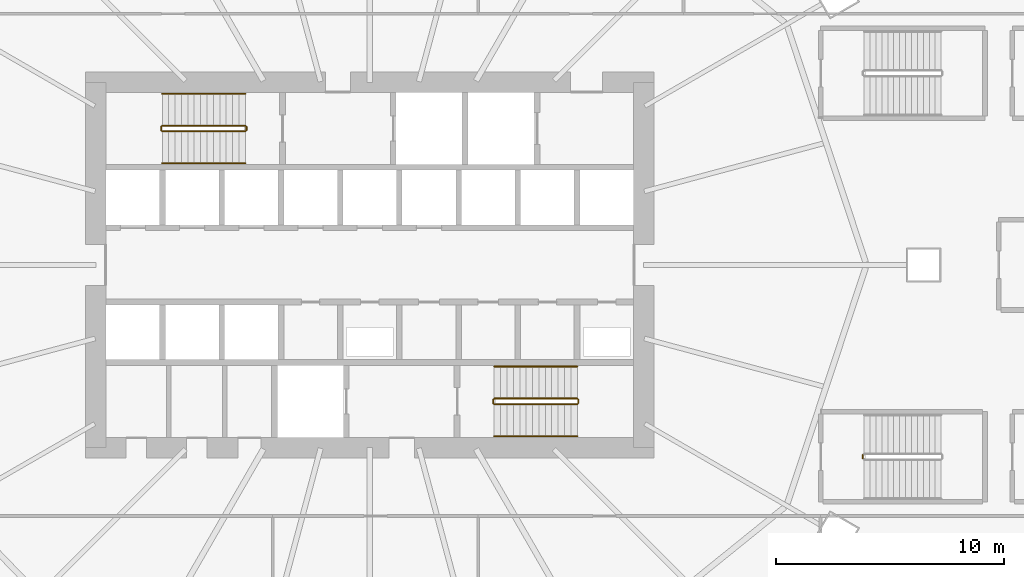
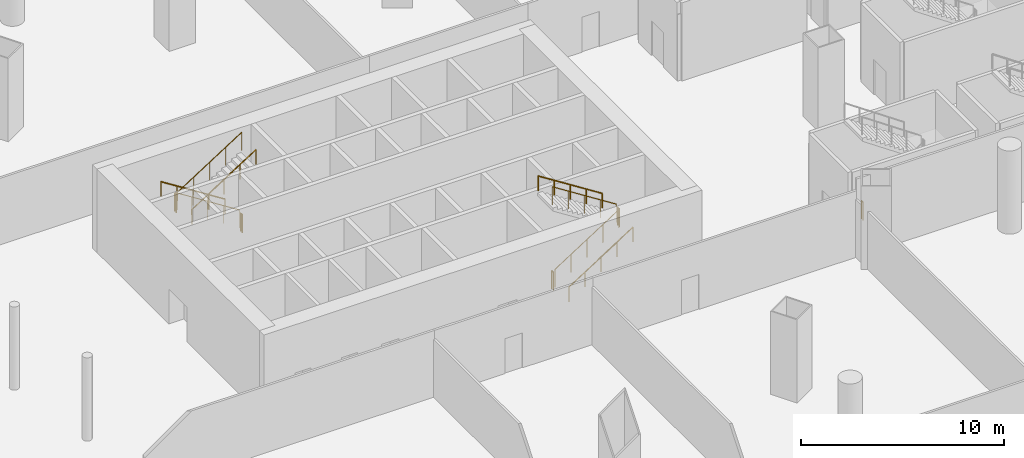
# One storey, part 45 of 51: 13 railings.
"""IFC4 building model written with IfcOpenShell, lengths in metres."""

import ifcopenshell
import ifcopenshell.guid

model = None  # the IFC model being written
_history = None  # IfcOwnerHistory: only IFC2X3 demands one
_inside = {}  # id of a spatial element -> (the spatial element, [elements in it])
_under = {}  # id of a project, library or spatial element -> (it, [spatial elements below it])
_declared = {}  # id of a project -> (the project, [libraries it declares])
_typed = {}  # id of a type object -> (the type object, [elements of that type])
_made_of = {}  # id of a material, layer set ... -> (it, [elements and type objects made of it])


def new_model(schema):
    """Start an empty IFC model of exactly this schema.

    Asked for "IFC4X3", IfcOpenShell would pick the latest addendum, in which some entities
    have other attributes; the version numbers below select the first issue.
    IFC2X3 requires an IfcOwnerHistory on every rooted entity: one is made here for all.
    """
    global model, _history
    if schema == "IFC4X3":
        model = ifcopenshell.file(schema_version=(4, 3, 0, 0))
    else:
        model = ifcopenshell.file(schema=schema)
    _inside.clear()
    _under.clear()
    _declared.clear()
    _typed.clear()
    _made_of.clear()
    _history = None
    if model.schema == "IFC2X3":
        org = make("IfcOrganization", Name="unknown")
        user = make(
            "IfcPersonAndOrganization",
            ThePerson=make("IfcPerson", FamilyName="unknown"),
            TheOrganization=org,
        )
        app = make(
            "IfcApplication",
            ApplicationDeveloper=org,
            Version="unknown",
            ApplicationFullName="unknown",
            ApplicationIdentifier="unknown",
        )
        _history = make(
            "IfcOwnerHistory",
            OwningUser=user,
            OwningApplication=app,
            ChangeAction="ADDED",
            CreationDate=0,
        )
    return model


def make(cls, **values):
    """One entity of the class cls with the attributes given. An attribute that is None is left unset."""
    return model.create_entity(
        cls, **{name: value for name, value in values.items() if value is not None}
    )


def rooted(cls, **values):
    """An entity with a GlobalId (a new one), such as an element, a storey or a relation."""
    return make(cls, GlobalId=ifcopenshell.guid.new(), OwnerHistory=_history, **values)


def si_unit(unit_type, name, prefix=None):
    """IfcSIUnit, for example si_unit("LENGTHUNIT", "METRE", prefix="MILLI")."""
    return make("IfcSIUnit", UnitType=unit_type, Prefix=prefix, Name=name)


def assignment(units):
    """IfcUnitAssignment: the units of a project."""
    return None if units is None else make("IfcUnitAssignment", Units=units)


def point(xyz):
    """IfcCartesianPoint."""
    return None if xyz is None else make("IfcCartesianPoint", Coordinates=xyz)


def direction(xyz):
    """IfcDirection."""
    return None if xyz is None else make("IfcDirection", DirectionRatios=xyz)


def frame(location, z_axis=None, x_axis=None):
    """IfcAxis2Placement3D, a coordinate frame: its origin and axes. An axis left out is left unset."""
    return make(
        "IfcAxis2Placement3D",
        Location=point(location),
        Axis=direction(z_axis),
        RefDirection=direction(x_axis),
    )


def frame_2d(location, x_axis=None):
    """IfcAxis2Placement2D, a coordinate frame in the plane: its origin and x axis."""
    return make(
        "IfcAxis2Placement2D", Location=point(location), RefDirection=direction(x_axis)
    )


def origin():
    """The frame at (0, 0, 0) with its axes left unset."""
    return frame((0.0, 0.0, 0.0))


def origin_2d():
    """The frame at (0, 0) in the plane with its x axis left unset."""
    return frame_2d((0.0, 0.0))


def place(relative_to, where):
    """IfcLocalPlacement: puts the frame where relative to a parent placement (None: the world)."""
    return make(
        "IfcLocalPlacement", PlacementRelTo=relative_to, RelativePlacement=where
    )


def context(
    kind, dimensions, precision=None, world=None, true_north=None, identifier=None
):
    """IfcGeometricRepresentationContext, for example the 3D "Model" context."""
    return make(
        "IfcGeometricRepresentationContext",
        ContextIdentifier=identifier,
        ContextType=kind,
        CoordinateSpaceDimension=dimensions,
        Precision=precision,
        WorldCoordinateSystem=world,
        TrueNorth=true_north,
    )


def subcontext(parent, identifier, kind, view, scale=None):
    """IfcGeometricRepresentationSubContext, for example "Body" below "Model"."""
    return make(
        "IfcGeometricRepresentationSubContext",
        ContextIdentifier=identifier,
        ContextType=kind,
        ParentContext=parent,
        TargetScale=scale,
        TargetView=view,
    )


def project(units=None, contexts=None):
    """IfcProject with its units and contexts."""
    return rooted(
        "IfcProject",
        Name="project",
        RepresentationContexts=contexts,
        UnitsInContext=assignment(units),
    )


def spatial(cls, under=None, at=None, **own):
    """A site, building, storey or space (cls), placed at a placement, below another one or the project."""
    s = rooted(cls, ObjectPlacement=at, **own)
    if under is not None:
        _under.setdefault(under.id(), (under, []))[1].append(s)
    return s


def profile(cls, at=None, kind="AREA", **sizes):
    """A parametric profile (cls). Its sizes go by their IFC names, for example OverallWidth=200.0."""
    return make(cls, ProfileType=kind, Position=at, **sizes)


def circle(**sizes):
    """IfcCircleProfileDef."""
    return profile("IfcCircleProfileDef", **sizes)


def extrude(swept, where, along, depth):
    """IfcExtrudedAreaSolid: the profile swept, set in the frame where, extruded along a direction by depth."""
    return make(
        "IfcExtrudedAreaSolid",
        SweptArea=swept,
        Position=where,
        ExtrudedDirection=direction(along),
        Depth=depth,
    )


def shape(context_of_items, identifier, shape_type, items):
    """IfcShapeRepresentation: the items that make up one representation, for example the "Body"."""
    return make(
        "IfcShapeRepresentation",
        ContextOfItems=context_of_items,
        RepresentationIdentifier=identifier,
        RepresentationType=shape_type,
        Items=items,
    )


def material(Name=None, Category=None):
    """IfcMaterial."""
    return make("IfcMaterial", Name=Name, Category=Category)


def made_of(thing, what):
    """Note that an element or type object is made of a material, layer set ...; save() writes the relation."""
    if what is not None:
        _made_of.setdefault(what.id(), (what, []))[1].append(thing)
    return thing


def type_object(cls, material=None, **own):
    """A type object (cls), such as IfcWallType, which elements share."""
    return made_of(rooted(cls, **own), material)


def element(
    cls,
    number,
    at=None,
    inside=None,
    cuts=None,
    type_object=None,
    material=None,
    context=None,
    identifier="Body",
    shape_type=None,
    held_by="IfcProductDefinitionShape",
    body=None,
    shapes=None,
    **own,
):
    """One element of the class cls, such as IfcWall. Its Tag is "e" and its number.

    at: its placement. inside: the storey or other place that contains it. cuts: it is an
    opening in that element (IfcRelVoidsElement). A single representation is given by context,
    identifier, shape_type and body (its items); several are given by shapes. held_by: the class
    of the entity that holds the representations. save() writes the other relations.
    """
    e = rooted(cls, Tag="e%d" % number, ObjectPlacement=at, **own)
    if body is not None:
        shapes = [shape(context, identifier, shape_type, body)]
    if shapes is not None:
        e.Representation = make(held_by, Representations=shapes)
    if inside is not None:
        _inside.setdefault(inside.id(), (inside, []))[1].append(e)
    if cuts is not None:
        rooted(
            "IfcRelVoidsElement", RelatingBuildingElement=cuts, RelatedOpeningElement=e
        )
    if type_object is not None:
        _typed.setdefault(type_object.id(), (type_object, []))[1].append(e)
    return made_of(e, material)


def aggregate(whole, parts):
    """IfcRelAggregates: a whole, such as a stair, and the parts it consists of."""
    return rooted("IfcRelAggregates", RelatingObject=whole, RelatedObjects=parts)


def save(model, path):
    """Write the relations noted so far, then the file.

    IfcRelAggregates (storeys below a building ...), IfcRelContainedInSpatialStructure (elements
    in a storey), IfcRelDefinesByType, IfcRelAssociatesMaterial and IfcRelDeclares: one each for
    every whole, place, type object, material and project.
    """
    for whole, parts in _under.values():
        aggregate(whole, parts)
    for where, things in _inside.values():
        rooted(
            "IfcRelContainedInSpatialStructure",
            RelatedElements=things,
            RelatingStructure=where,
        )
    for kind, things in _typed.values():
        rooted("IfcRelDefinesByType", RelatedObjects=things, RelatingType=kind)
    for what, things in _made_of.values():
        rooted("IfcRelAssociatesMaterial", RelatedObjects=things, RelatingMaterial=what)
    for by, libraries in _declared.values():
        rooted("IfcRelDeclares", RelatingContext=by, RelatedDefinitions=libraries)
    model.write(path)


model = new_model("IFC4")

# Units and contexts
model_context = context("Model", 3, precision=1e-05, world=origin(), true_north=direction((0.0, 1.0)))
body_context = subcontext(model_context, "Body", "Model", "MODEL_VIEW")
ifc_project = project(units=[si_unit("LENGTHUNIT", "METRE"), si_unit("AREAUNIT", "SQUARE_METRE"), si_unit("VOLUMEUNIT", "CUBIC_METRE"), si_unit("PLANEANGLEUNIT", "RADIAN"), si_unit("MASSUNIT", "GRAM", prefix="KILO")], contexts=[model_context])

# Site, building, storey
site_placement = place(None, origin())
site = spatial("IfcSite", under=ifc_project, at=site_placement, CompositionType="ELEMENT")
building_placement = place(site_placement, origin())
building = spatial("IfcBuilding", under=site, at=building_placement, Name="Rimbun Link Towers", CompositionType="ELEMENT")
storey_placement = place(building_placement, frame((0.0, 0.0, 7.0)))
storey = spatial("IfcBuildingStorey", under=building, at=storey_placement, Name="L01", CompositionType="ELEMENT", Elevation=7.0)

# Railings
ifc_material_1 = material(Name="Stainless steel grade 316", Category="steel")
railing_type_1 = type_object("IfcRailingType", Name="Stair guard", PredefinedType="GUARDRAIL", material=ifc_material_1)
railing_1_placement = place(storey_placement, frame((-37.199951171875, 6.10009765625, 0.178466796875)))
element("IfcRailing", 1, at=railing_1_placement, inside=storey, type_object=railing_type_1, Name="L01 ST1 stair guard 1", PredefinedType="GUARDRAIL", context=body_context, shape_type="SweptSolid", body=[
    extrude(circle(Radius=0.02392578125, at=origin_2d()), frame((0.0, 0.0, 1.076171875), z_axis=(-0.843127859045, 0.0, 0.537713132908), x_axis=(0.0, -1.0, 0.0)), (0.0, 0.0, 1.0), 4.3173828125),
    extrude(circle(Radius=0.02099609375, at=origin_2d()), origin(), (0.0, 0.0, 1.0), 1.052001953125),
    extrude(circle(Radius=0.02099609375, at=origin_2d()), frame((-0.91015625, 0.0, 0.580322265625)), (0.0, 0.0, 1.0), 1.052001953125),
    extrude(circle(Radius=0.02099609375, at=origin_2d()), frame((-1.820068359375, 0.0, 1.16064453125)), (0.0, 0.0, 1.0), 1.052001953125),
    extrude(circle(Radius=0.02099609375, at=origin_2d()), frame((-2.72998046875, 0.0, 1.7412109375)), (0.0, 0.0, 1.0), 1.052001953125),
    extrude(circle(Radius=0.02099609375, at=origin_2d()), frame((-3.64013671875, 0.0, 2.321533203125)), (0.0, 0.0, 1.0), 1.052001953125),
])
railing_2_placement = place(storey_placement, frame((-40.889892578125, 6.050048828125, 2.5)))
element("IfcRailing", 2, at=railing_2_placement, inside=storey, type_object=railing_type_1, Name="L01 ST1 stair guard 2", PredefinedType="GUARDRAIL", context=body_context, shape_type="SweptSolid", body=[
    extrude(circle(Radius=0.02392578125, at=origin_2d()), frame((0.0, 0.0, 1.076171875), z_axis=(0.0, -1.0, 0.0), x_axis=(1.0, 0.0, 0.0)), (0.0, 0.0, 1.0), 0.150146484375),
    extrude(circle(Radius=0.02099609375, at=origin_2d()), origin(), (0.0, 0.0, 1.0), 1.052001953125),
    extrude(circle(Radius=0.02099609375, at=origin_2d()), frame((0.0, -0.150146484375, 0.0)), (0.0, 0.0, 1.0), 1.052001953125),
])
railing_3_placement = place(storey_placement, frame((-40.840087890625, 5.85009765625, 2.678466796875)))
element("IfcRailing", 3, at=railing_3_placement, inside=storey, type_object=railing_type_1, Name="L01 ST1 stair guard 3", PredefinedType="GUARDRAIL", context=body_context, shape_type="SweptSolid", body=[
    extrude(circle(Radius=0.02392578125, at=origin_2d()), frame((0.0, 0.0, 1.076171875), z_axis=(0.843127859045, 0.0, 0.537713132908), x_axis=(0.0, 1.0, 0.0)), (0.0, 0.0, 1.0), 4.3173828125),
    extrude(circle(Radius=0.02099609375, at=origin_2d()), origin(), (0.0, 0.0, 1.0), 1.052001953125),
    extrude(circle(Radius=0.02099609375, at=origin_2d()), frame((0.91015625, 0.0, 0.580322265625)), (0.0, 0.0, 1.0), 1.052001953125),
    extrude(circle(Radius=0.02099609375, at=origin_2d()), frame((1.820068359375, 0.0, 1.16064453125)), (0.0, 0.0, 1.0), 1.052001953125),
    extrude(circle(Radius=0.02099609375, at=origin_2d()), frame((2.72998046875, 0.0, 1.7412109375)), (0.0, 0.0, 1.0), 1.052001953125),
    extrude(circle(Radius=0.02099609375, at=origin_2d()), frame((3.64013671875, 0.0, 2.321533203125)), (0.0, 0.0, 1.0), 1.052001953125),
])
railing_4_placement = place(storey_placement, frame((-37.14990234375, 6.050048828125, 0.0)))
element("IfcRailing", 4, at=railing_4_placement, inside=storey, type_object=railing_type_1, Name="L01 ST1 stair guard 4", PredefinedType="GUARDRAIL", context=body_context, shape_type="SweptSolid", body=[
    extrude(circle(Radius=0.02392578125, at=origin_2d()), frame((0.0, 0.0, 1.076171875), z_axis=(0.0, -1.0, 0.0), x_axis=(1.0, 0.0, 0.0)), (0.0, 0.0, 1.0), 0.150146484375),
    extrude(circle(Radius=0.02099609375, at=origin_2d()), origin(), (0.0, 0.0, 1.0), 1.052001953125),
    extrude(circle(Radius=0.02099609375, at=origin_2d()), frame((0.0, -0.150146484375, 0.0)), (0.0, 0.0, 1.0), 1.052001953125),
])
railing_5_placement = place(storey_placement, frame((-26.300048828125, -6.10009765625, 0.178466796875)))
element("IfcRailing", 5, at=railing_5_placement, inside=storey, type_object=railing_type_1, Name="L01 ST2 stair guard 1", PredefinedType="GUARDRAIL", context=body_context, shape_type="SweptSolid", body=[
    extrude(circle(Radius=0.02392578125, at=origin_2d()), frame((0.0, 0.0, 1.076171875), z_axis=(0.843127859045, 0.0, 0.537713132908), x_axis=(0.0, 1.0, 0.0)), (0.0, 0.0, 1.0), 4.3173828125),
    extrude(circle(Radius=0.02099609375, at=origin_2d()), origin(), (0.0, 0.0, 1.0), 1.052001953125),
    extrude(circle(Radius=0.02099609375, at=origin_2d()), frame((0.91015625, 0.0, 0.580322265625)), (0.0, 0.0, 1.0), 1.052001953125),
    extrude(circle(Radius=0.02099609375, at=origin_2d()), frame((1.820068359375, 0.0, 1.16064453125)), (0.0, 0.0, 1.0), 1.052001953125),
    extrude(circle(Radius=0.02099609375, at=origin_2d()), frame((2.72998046875, 0.0, 1.7412109375)), (0.0, 0.0, 1.0), 1.052001953125),
    extrude(circle(Radius=0.02099609375, at=origin_2d()), frame((3.64013671875, 0.0, 2.321533203125)), (0.0, 0.0, 1.0), 1.052001953125),
])
railing_6_placement = place(storey_placement, frame((-22.610107421875, -6.050048828125, 2.5)))
element("IfcRailing", 6, at=railing_6_placement, inside=storey, type_object=railing_type_1, Name="L01 ST2 stair guard 2", PredefinedType="GUARDRAIL", context=body_context, shape_type="SweptSolid", body=[
    extrude(circle(Radius=0.02392578125, at=origin_2d()), frame((0.0, 0.0, 1.076171875), z_axis=(0.0, 1.0, 0.0), x_axis=(-1.0, 0.0, 0.0)), (0.0, 0.0, 1.0), 0.150146484375),
    extrude(circle(Radius=0.02099609375, at=origin_2d()), origin(), (0.0, 0.0, 1.0), 1.052001953125),
    extrude(circle(Radius=0.02099609375, at=origin_2d()), frame((0.0, 0.150146484375, 0.0)), (0.0, 0.0, 1.0), 1.052001953125),
])
railing_7_placement = place(storey_placement, frame((-22.659912109375, -5.85009765625, 2.678466796875)))
element("IfcRailing", 7, at=railing_7_placement, inside=storey, type_object=railing_type_1, Name="L01 ST2 stair guard 3", PredefinedType="GUARDRAIL", context=body_context, shape_type="SweptSolid", body=[
    extrude(circle(Radius=0.02392578125, at=origin_2d()), frame((0.0, 0.0, 1.076171875), z_axis=(-0.843127859045, 0.0, 0.537713132908), x_axis=(0.0, -1.0, 0.0)), (0.0, 0.0, 1.0), 4.3173828125),
    extrude(circle(Radius=0.02099609375, at=origin_2d()), origin(), (0.0, 0.0, 1.0), 1.052001953125),
    extrude(circle(Radius=0.02099609375, at=origin_2d()), frame((-0.91015625, 0.0, 0.580322265625)), (0.0, 0.0, 1.0), 1.052001953125),
    extrude(circle(Radius=0.02099609375, at=origin_2d()), frame((-1.820068359375, 0.0, 1.16064453125)), (0.0, 0.0, 1.0), 1.052001953125),
    extrude(circle(Radius=0.02099609375, at=origin_2d()), frame((-2.72998046875, 0.0, 1.7412109375)), (0.0, 0.0, 1.0), 1.052001953125),
    extrude(circle(Radius=0.02099609375, at=origin_2d()), frame((-3.64013671875, 0.0, 2.321533203125)), (0.0, 0.0, 1.0), 1.052001953125),
])
for number, where, name in (
    (8, (-26.35009765625, -6.050048828125, 0.0), "L01 ST2 stair guard 4"),
    (9, (-10.14990234375, -8.47509765625, 0.0), "L01 PS1 stair guard 4"),
):
    element("IfcRailing", number, at=place(storey_placement, frame(where)), inside=storey, type_object=railing_type_1, Name=name, PredefinedType="GUARDRAIL", context=body_context, shape_type="SweptSolid", body=[
        extrude(circle(Radius=0.02392578125, at=origin_2d()), frame((0.0, 0.0, 1.076171875), z_axis=(0.0, 1.0, 0.0), x_axis=(-1.0, 0.0, 0.0)), (0.0, 0.0, 1.0), 0.150146484375),
        extrude(circle(Radius=0.02099609375, at=origin_2d()), origin(), (0.0, 0.0, 1.0), 1.052001953125),
        extrude(circle(Radius=0.02099609375, at=origin_2d()), frame((0.0, 0.150146484375, 0.0)), (0.0, 0.0, 1.0), 1.052001953125),
    ])
ifc_material_2 = material(Name="Stainless steel grade 316", Category="steel")
railing_type_2 = type_object("IfcRailingType", Name="Stair handrail", PredefinedType="HANDRAIL", material=ifc_material_2)
railing_8_placement = place(storey_placement, frame((-37.199951171875, 7.5, 0.178466796875)))
element("IfcRailing", 10, at=railing_8_placement, inside=storey, type_object=railing_type_2, Name="L01 ST1 stair handrail 1", PredefinedType="HANDRAIL", context=body_context, shape_type="SweptSolid", body=[
    extrude(circle(Radius=0.02392578125, at=origin_2d()), frame((0.0, 0.0, 0.8759765625), z_axis=(-0.843127859045, 0.0, 0.537713132908), x_axis=(0.0, -1.0, 0.0)), (0.0, 0.0, 1.0), 4.3173828125),
    extrude(circle(Radius=0.02099609375, at=origin_2d()), origin(), (0.0, 0.0, 1.0), 0.851806640625),
    extrude(circle(Radius=0.02099609375, at=origin_2d()), frame((-0.91015625, 0.0, 0.580322265625)), (0.0, 0.0, 1.0), 0.851806640625),
    extrude(circle(Radius=0.02099609375, at=origin_2d()), frame((-1.820068359375, 0.0, 1.16064453125)), (0.0, 0.0, 1.0), 0.851806640625),
    extrude(circle(Radius=0.02099609375, at=origin_2d()), frame((-2.72998046875, 0.0, 1.7412109375)), (0.0, 0.0, 1.0), 0.851806640625),
    extrude(circle(Radius=0.02099609375, at=origin_2d()), frame((-3.64013671875, 0.0, 2.321533203125)), (0.0, 0.0, 1.0), 0.851806640625),
])
for number, where, name in (
    (11, (-40.840087890625, 4.449951171875, 2.678466796875), "L01 ST1 stair handrail 2"),
    (12, (-26.300048828125, -7.5, 0.178466796875), "L01 ST2 stair handrail 1"),
):
    element("IfcRailing", number, at=place(storey_placement, frame(where)), inside=storey, type_object=railing_type_2, Name=name, PredefinedType="HANDRAIL", context=body_context, shape_type="SweptSolid", body=[
        extrude(circle(Radius=0.02392578125, at=origin_2d()), frame((0.0, 0.0, 0.8759765625), z_axis=(0.843127859045, 0.0, 0.537713132908), x_axis=(0.0, 1.0, 0.0)), (0.0, 0.0, 1.0), 4.3173828125),
        extrude(circle(Radius=0.02099609375, at=origin_2d()), origin(), (0.0, 0.0, 1.0), 0.851806640625),
        extrude(circle(Radius=0.02099609375, at=origin_2d()), frame((0.91015625, 0.0, 0.580322265625)), (0.0, 0.0, 1.0), 0.851806640625),
        extrude(circle(Radius=0.02099609375, at=origin_2d()), frame((1.820068359375, 0.0, 1.16064453125)), (0.0, 0.0, 1.0), 0.851806640625),
        extrude(circle(Radius=0.02099609375, at=origin_2d()), frame((2.72998046875, 0.0, 1.7412109375)), (0.0, 0.0, 1.0), 0.851806640625),
        extrude(circle(Radius=0.02099609375, at=origin_2d()), frame((3.64013671875, 0.0, 2.321533203125)), (0.0, 0.0, 1.0), 0.851806640625),
    ])
railing_9_placement = place(storey_placement, frame((-22.659912109375, -4.449951171875, 2.678466796875)))
element("IfcRailing", 13, at=railing_9_placement, inside=storey, type_object=railing_type_2, Name="L01 ST2 stair handrail 2", PredefinedType="HANDRAIL", context=body_context, shape_type="SweptSolid", body=[
    extrude(circle(Radius=0.02392578125, at=origin_2d()), frame((0.0, 0.0, 0.8759765625), z_axis=(-0.843127859045, 0.0, 0.537713132908), x_axis=(0.0, -1.0, 0.0)), (0.0, 0.0, 1.0), 4.3173828125),
    extrude(circle(Radius=0.02099609375, at=origin_2d()), origin(), (0.0, 0.0, 1.0), 0.851806640625),
    extrude(circle(Radius=0.02099609375, at=origin_2d()), frame((-0.91015625, 0.0, 0.580322265625)), (0.0, 0.0, 1.0), 0.851806640625),
    extrude(circle(Radius=0.02099609375, at=origin_2d()), frame((-1.820068359375, 0.0, 1.16064453125)), (0.0, 0.0, 1.0), 0.851806640625),
    extrude(circle(Radius=0.02099609375, at=origin_2d()), frame((-2.72998046875, 0.0, 1.7412109375)), (0.0, 0.0, 1.0), 0.851806640625),
    extrude(circle(Radius=0.02099609375, at=origin_2d()), frame((-3.64013671875, 0.0, 2.321533203125)), (0.0, 0.0, 1.0), 0.851806640625),
])

save(model, "model.ifc")
